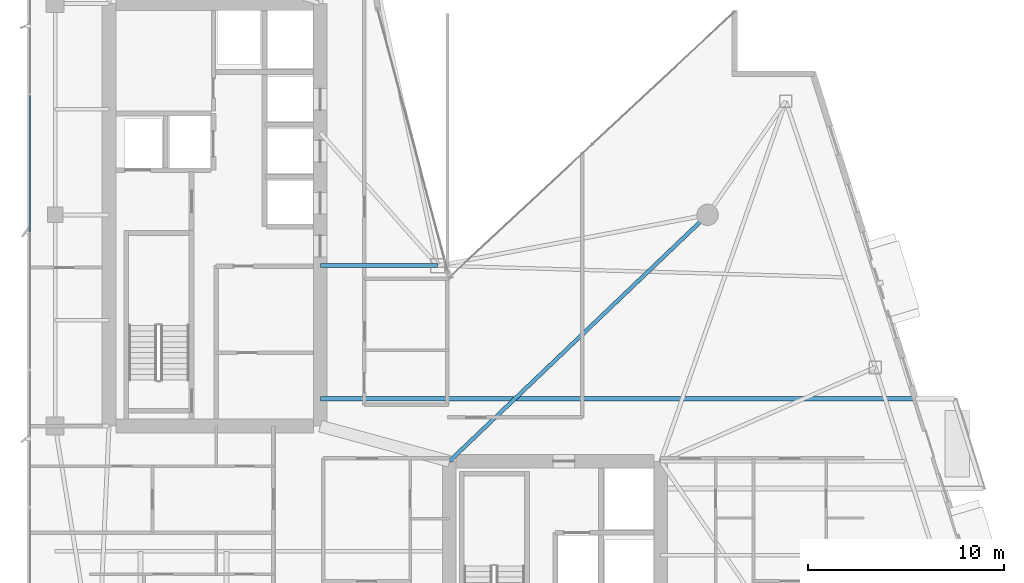
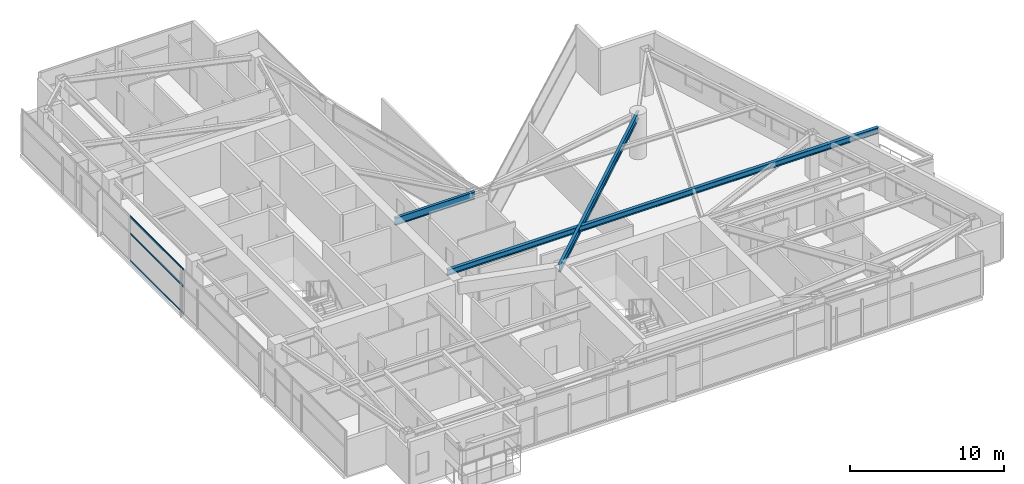
# One storey, part 9 of 27: 3 beams, 3 members, 1 element without a shape of its own.
"""IFC4 building model written with IfcOpenShell, lengths in metres."""

import ifcopenshell
import ifcopenshell.guid

model = None  # the IFC model being written
_history = None  # IfcOwnerHistory: only IFC2X3 demands one
_inside = {}  # id of a spatial element -> (the spatial element, [elements in it])
_under = {}  # id of a project, library or spatial element -> (it, [spatial elements below it])
_declared = {}  # id of a project -> (the project, [libraries it declares])
_typed = {}  # id of a type object -> (the type object, [elements of that type])
_made_of = {}  # id of a material, layer set ... -> (it, [elements and type objects made of it])


def new_model(schema):
    """Start an empty IFC model of exactly this schema.

    Asked for "IFC4X3", IfcOpenShell would pick the latest addendum, in which some entities
    have other attributes; the version numbers below select the first issue.
    IFC2X3 requires an IfcOwnerHistory on every rooted entity: one is made here for all.
    """
    global model, _history
    if schema == "IFC4X3":
        model = ifcopenshell.file(schema_version=(4, 3, 0, 0))
    else:
        model = ifcopenshell.file(schema=schema)
    _inside.clear()
    _under.clear()
    _declared.clear()
    _typed.clear()
    _made_of.clear()
    _history = None
    if model.schema == "IFC2X3":
        org = make("IfcOrganization", Name="unknown")
        user = make(
            "IfcPersonAndOrganization",
            ThePerson=make("IfcPerson", FamilyName="unknown"),
            TheOrganization=org,
        )
        app = make(
            "IfcApplication",
            ApplicationDeveloper=org,
            Version="unknown",
            ApplicationFullName="unknown",
            ApplicationIdentifier="unknown",
        )
        _history = make(
            "IfcOwnerHistory",
            OwningUser=user,
            OwningApplication=app,
            ChangeAction="ADDED",
            CreationDate=0,
        )
    return model


def make(cls, **values):
    """One entity of the class cls with the attributes given. An attribute that is None is left unset."""
    return model.create_entity(
        cls, **{name: value for name, value in values.items() if value is not None}
    )


def rooted(cls, **values):
    """An entity with a GlobalId (a new one), such as an element, a storey or a relation."""
    return make(cls, GlobalId=ifcopenshell.guid.new(), OwnerHistory=_history, **values)


def si_unit(unit_type, name, prefix=None):
    """IfcSIUnit, for example si_unit("LENGTHUNIT", "METRE", prefix="MILLI")."""
    return make("IfcSIUnit", UnitType=unit_type, Prefix=prefix, Name=name)


def assignment(units):
    """IfcUnitAssignment: the units of a project."""
    return None if units is None else make("IfcUnitAssignment", Units=units)


def point(xyz):
    """IfcCartesianPoint."""
    return None if xyz is None else make("IfcCartesianPoint", Coordinates=xyz)


def direction(xyz):
    """IfcDirection."""
    return None if xyz is None else make("IfcDirection", DirectionRatios=xyz)


def frame(location, z_axis=None, x_axis=None):
    """IfcAxis2Placement3D, a coordinate frame: its origin and axes. An axis left out is left unset."""
    return make(
        "IfcAxis2Placement3D",
        Location=point(location),
        Axis=direction(z_axis),
        RefDirection=direction(x_axis),
    )


def frame_2d(location, x_axis=None):
    """IfcAxis2Placement2D, a coordinate frame in the plane: its origin and x axis."""
    return make(
        "IfcAxis2Placement2D", Location=point(location), RefDirection=direction(x_axis)
    )


def origin():
    """The frame at (0, 0, 0) with its axes left unset."""
    return frame((0.0, 0.0, 0.0))


def origin_2d():
    """The frame at (0, 0) in the plane with its x axis left unset."""
    return frame_2d((0.0, 0.0))


def place(relative_to, where):
    """IfcLocalPlacement: puts the frame where relative to a parent placement (None: the world)."""
    return make(
        "IfcLocalPlacement", PlacementRelTo=relative_to, RelativePlacement=where
    )


def context(
    kind, dimensions, precision=None, world=None, true_north=None, identifier=None
):
    """IfcGeometricRepresentationContext, for example the 3D "Model" context."""
    return make(
        "IfcGeometricRepresentationContext",
        ContextIdentifier=identifier,
        ContextType=kind,
        CoordinateSpaceDimension=dimensions,
        Precision=precision,
        WorldCoordinateSystem=world,
        TrueNorth=true_north,
    )


def subcontext(parent, identifier, kind, view, scale=None):
    """IfcGeometricRepresentationSubContext, for example "Body" below "Model"."""
    return make(
        "IfcGeometricRepresentationSubContext",
        ContextIdentifier=identifier,
        ContextType=kind,
        ParentContext=parent,
        TargetScale=scale,
        TargetView=view,
    )


def project(units=None, contexts=None):
    """IfcProject with its units and contexts."""
    return rooted(
        "IfcProject",
        Name="project",
        RepresentationContexts=contexts,
        UnitsInContext=assignment(units),
    )


def spatial(cls, under=None, at=None, **own):
    """A site, building, storey or space (cls), placed at a placement, below another one or the project."""
    s = rooted(cls, ObjectPlacement=at, **own)
    if under is not None:
        _under.setdefault(under.id(), (under, []))[1].append(s)
    return s


def profile(cls, at=None, kind="AREA", **sizes):
    """A parametric profile (cls). Its sizes go by their IFC names, for example OverallWidth=200.0."""
    return make(cls, ProfileType=kind, Position=at, **sizes)


def hollow_rectangle(**sizes):
    """IfcRectangleHollowProfileDef."""
    return profile("IfcRectangleHollowProfileDef", **sizes)


def i_section(**sizes):
    """IfcIShapeProfileDef."""
    return profile("IfcIShapeProfileDef", **sizes)


def extrude(swept, where, along, depth):
    """IfcExtrudedAreaSolid: the profile swept, set in the frame where, extruded along a direction by depth."""
    return make(
        "IfcExtrudedAreaSolid",
        SweptArea=swept,
        Position=where,
        ExtrudedDirection=direction(along),
        Depth=depth,
    )


def shape(context_of_items, identifier, shape_type, items):
    """IfcShapeRepresentation: the items that make up one representation, for example the "Body"."""
    return make(
        "IfcShapeRepresentation",
        ContextOfItems=context_of_items,
        RepresentationIdentifier=identifier,
        RepresentationType=shape_type,
        Items=items,
    )


def material(Name=None, Category=None):
    """IfcMaterial."""
    return make("IfcMaterial", Name=Name, Category=Category)


def layer(
    of_material, thickness, ventilated=None, Name=None, Category=None, Priority=None
):
    """IfcMaterialLayer: one layer of a wall or slab, of a material (None: an air gap)."""
    return make(
        "IfcMaterialLayer",
        Material=of_material,
        LayerThickness=thickness,
        IsVentilated=ventilated,
        Name=Name,
        Category=Category,
        Priority=Priority,
    )


def layer_set(layers, Name=None):
    """IfcMaterialLayerSet."""
    return make("IfcMaterialLayerSet", MaterialLayers=layers, LayerSetName=Name)


def material_profile(
    of_material, cross_section, Name=None, Category=None, Priority=None
):
    """IfcMaterialProfile: a cross section and its material."""
    return make(
        "IfcMaterialProfile",
        Name=Name,
        Material=of_material,
        Profile=cross_section,
        Priority=Priority,
        Category=Category,
    )


def profile_set(profiles, Name=None, composite=None):
    """IfcMaterialProfileSet."""
    return make(
        "IfcMaterialProfileSet",
        Name=Name,
        MaterialProfiles=profiles,
        CompositeProfile=composite,
    )


def made_of(thing, what):
    """Note that an element or type object is made of a material, layer set ...; save() writes the relation."""
    if what is not None:
        _made_of.setdefault(what.id(), (what, []))[1].append(thing)
    return thing


def type_object(cls, material=None, **own):
    """A type object (cls), such as IfcWallType, which elements share."""
    return made_of(rooted(cls, **own), material)


def element(
    cls,
    number,
    at=None,
    inside=None,
    cuts=None,
    type_object=None,
    material=None,
    context=None,
    identifier="Body",
    shape_type=None,
    held_by="IfcProductDefinitionShape",
    body=None,
    shapes=None,
    **own,
):
    """One element of the class cls, such as IfcWall. Its Tag is "e" and its number.

    at: its placement. inside: the storey or other place that contains it. cuts: it is an
    opening in that element (IfcRelVoidsElement). A single representation is given by context,
    identifier, shape_type and body (its items); several are given by shapes. held_by: the class
    of the entity that holds the representations. save() writes the other relations.
    """
    e = rooted(cls, Tag="e%d" % number, ObjectPlacement=at, **own)
    if body is not None:
        shapes = [shape(context, identifier, shape_type, body)]
    if shapes is not None:
        e.Representation = make(held_by, Representations=shapes)
    if inside is not None:
        _inside.setdefault(inside.id(), (inside, []))[1].append(e)
    if cuts is not None:
        rooted(
            "IfcRelVoidsElement", RelatingBuildingElement=cuts, RelatedOpeningElement=e
        )
    if type_object is not None:
        _typed.setdefault(type_object.id(), (type_object, []))[1].append(e)
    return made_of(e, material)


def aggregate(whole, parts):
    """IfcRelAggregates: a whole, such as a stair, and the parts it consists of."""
    return rooted("IfcRelAggregates", RelatingObject=whole, RelatedObjects=parts)


def save(model, path):
    """Write the relations noted so far, then the file.

    IfcRelAggregates (storeys below a building ...), IfcRelContainedInSpatialStructure (elements
    in a storey), IfcRelDefinesByType, IfcRelAssociatesMaterial and IfcRelDeclares: one each for
    every whole, place, type object, material and project.
    """
    for whole, parts in _under.values():
        aggregate(whole, parts)
    for where, things in _inside.values():
        rooted(
            "IfcRelContainedInSpatialStructure",
            RelatedElements=things,
            RelatingStructure=where,
        )
    for kind, things in _typed.values():
        rooted("IfcRelDefinesByType", RelatedObjects=things, RelatingType=kind)
    for what, things in _made_of.values():
        rooted("IfcRelAssociatesMaterial", RelatedObjects=things, RelatingMaterial=what)
    for by, libraries in _declared.values():
        rooted("IfcRelDeclares", RelatingContext=by, RelatedDefinitions=libraries)
    model.write(path)


model = new_model("IFC4")

# Units and contexts
model_context = context("Model", 3, precision=1e-05, world=origin(), true_north=direction((0.0, 1.0)))
body_context = subcontext(model_context, "Body", "Model", "MODEL_VIEW")
ifc_project = project(units=[si_unit("LENGTHUNIT", "METRE"), si_unit("AREAUNIT", "SQUARE_METRE"), si_unit("VOLUMEUNIT", "CUBIC_METRE"), si_unit("PLANEANGLEUNIT", "RADIAN"), si_unit("MASSUNIT", "GRAM", prefix="KILO")], contexts=[model_context])

# Site, building, storey
site_placement = place(None, origin())
site = spatial("IfcSite", under=ifc_project, at=site_placement, CompositionType="ELEMENT")
building_placement = place(site_placement, origin())
building = spatial("IfcBuilding", under=site, at=building_placement, Name="Calvorn Quay Hotel", CompositionType="ELEMENT")
storey_placement = place(building_placement, frame((0.0, 0.0, 223.10009765625)))
storey = spatial("IfcBuildingStorey", under=building, at=storey_placement, Name="L55", CompositionType="ELEMENT", Elevation=223.10009765625)

# Beams
ifc_material_1 = material(Name="Steel Q355B", Category="steel")
ifc_material_profile_1 = material_profile(ifc_material_1, i_section(OverallWidth=0.25, OverallDepth=0.449951171875, WebThickness=0.011962890625, FlangeThickness=0.01611328125, FilletRadius=0.01611328125, at=origin_2d()), Name="HN450x250x12x16")
ifc_profile_set_1 = profile_set([ifc_material_profile_1], Name="Steel Q355B")
beam_type_1 = type_object("IfcBeamType", Name="BM-CANT-BALC", PredefinedType="BEAM", material=ifc_profile_set_1)
beam_1_placement = place(storey_placement, frame((15.0, 18.199951171875, 3.31494140625), z_axis=(1.0, 0.0, 0.0), x_axis=(0.0, 1.0, 0.0)))
element("IfcBeam", 1, at=beam_1_placement, inside=storey, type_object=beam_type_1, Name="Cantilever Balcony Beam BCB-L56-1B", PredefinedType="BEAM", context=body_context, shape_type="SweptSolid", body=[
    extrude(i_section(OverallWidth=0.25, OverallDepth=0.449951171875, WebThickness=0.011962890625, FlangeThickness=0.01611328125, FilletRadius=0.01611328125, at=origin_2d()), origin(), (0.0, 0.0, 1.0), 32.419921875),
])
ifc_material_2 = material(Name="Steel Q355B", Category="steel")
ifc_material_profile_2 = material_profile(ifc_material_2, i_section(OverallWidth=0.199951171875, OverallDepth=0.60009765625, WebThickness=0.010986328125, FlangeThickness=0.01708984375, FilletRadius=0.01806640625, at=origin_2d()), Name="HN600x200x11x17")
ifc_profile_set_2 = profile_set([ifc_material_profile_2], Name="Steel Q355B")
beam_type_2 = type_object("IfcBeamType", Name="BM-GIRD-TYP", PredefinedType="BEAM", material=ifc_profile_set_2)
beam_2_placement = place(storey_placement, frame((21.0, 25.0, 3.239990234375), z_axis=(-1.0, 0.0, 0.0), x_axis=(0.0, -1.0, 0.0)))
element("IfcBeam", 2, at=beam_2_placement, inside=storey, type_object=beam_type_2, Name="Beam BG-L55-W7", PredefinedType="BEAM", context=body_context, shape_type="SweptSolid", body=[
    extrude(i_section(OverallWidth=0.199951171875, OverallDepth=0.60009765625, WebThickness=0.010986328125, FlangeThickness=0.01708984375, FilletRadius=0.01806640625, at=origin_2d()), origin(), (0.0, 0.0, 1.0), 6.0),
])
beam_3_placement = place(storey_placement, frame((21.60009765625, 15.0, 3.239990234375), z_axis=(0.723351595578, 0.690479883252, 0.0), x_axis=(-0.690479883252, 0.723351595578, 0.0)))
element("IfcBeam", 3, at=beam_3_placement, inside=storey, type_object=beam_type_2, Name="Beam BG-L55-E4", PredefinedType="BEAM", context=body_context, shape_type="SweptSolid", body=[
    extrude(i_section(OverallWidth=0.199951171875, OverallDepth=0.60009765625, WebThickness=0.010986328125, FlangeThickness=0.01708984375, FilletRadius=0.01806640625, at=origin_2d()), origin(), (0.0, 0.0, 1.0), 18.248291015625),
])

# Curtain wall, members
ifc_material_3 = material(Name="Champagne Bronze Anodised Aluminium and Low-E Glass", Category="aluminium")
ifc_layer = layer(ifc_material_3, 0.219970703125)
ifc_layer_set = layer_set([ifc_layer], Name="CW-SYS-Z3")
curtain_wall_type = type_object("IfcCurtainWallType", Name="CW-SYS-Z3", PredefinedType="NOTDEFINED", material=ifc_layer_set)
curtain_wall_placement = place(storey_placement, origin())
curtain_wall = element("IfcCurtainWall", 4, at=curtain_wall_placement, inside=storey, type_object=curtain_wall_type, Name="Tower West Curtain Wall (L55)", PredefinedType="NOTDEFINED")
ifc_material_4 = material(Name="Champagne Bronze Anodised Aluminium 6063-T6", Category="aluminium")
ifc_material_profile_3 = material_profile(ifc_material_4, hollow_rectangle(XDim=0.05810546875, YDim=0.139892578125, WallThickness=0.003173828125, at=origin_2d()), Name="ALU-T140x58x3.2")
ifc_profile_set_3 = profile_set([ifc_material_profile_3], Name="Champagne Bronze Anodised Aluminium 6063-T6")
member_type = type_object("IfcMemberType", Name="CW-SYS-Z3-TRN", PredefinedType="USERDEFINED", material=ifc_profile_set_3)
member_1_placement = place(storey_placement, frame((0.14990234375, 26.72998046875, 0.02978515625), z_axis=(0.0, 1.0, 0.0), x_axis=(-1.0, 0.0, 0.0)))
member_1 = element("IfcMember", 5, at=member_1_placement, type_object=member_type, Name="CW-L55-W transom 4.1", ObjectType="TRANSOM", PredefinedType="USERDEFINED", context=body_context, shape_type="SweptSolid", body=[
    extrude(hollow_rectangle(XDim=0.05810546875, YDim=0.139892578125, WallThickness=0.003173828125, at=origin_2d()), origin(), (0.0, 0.0, 1.0), 6.973388671875),
])
member_2_placement = place(storey_placement, frame((0.14990234375, 26.72998046875, 2.199951171875), z_axis=(0.0, 1.0, 0.0), x_axis=(-1.0, 0.0, 0.0)))
member_2 = element("IfcMember", 6, at=member_2_placement, type_object=member_type, Name="CW-L55-W transom 4.2", ObjectType="TRANSOM", PredefinedType="USERDEFINED", context=body_context, shape_type="SweptSolid", body=[
    extrude(hollow_rectangle(XDim=0.05810546875, YDim=0.139892578125, WallThickness=0.003173828125, at=origin_2d()), origin(), (0.0, 0.0, 1.0), 6.973388671875),
])
member_3_placement = place(storey_placement, frame((0.14990234375, 26.72998046875, 3.52978515625), z_axis=(0.0, 1.0, 0.0), x_axis=(-1.0, 0.0, 0.0)))
member_3 = element("IfcMember", 7, at=member_3_placement, type_object=member_type, Name="CW-L55-W transom 4.3", ObjectType="TRANSOM", PredefinedType="USERDEFINED", context=body_context, shape_type="SweptSolid", body=[
    extrude(hollow_rectangle(XDim=0.05810546875, YDim=0.139892578125, WallThickness=0.003173828125, at=origin_2d()), origin(), (0.0, 0.0, 1.0), 6.973388671875),
])
aggregate(curtain_wall, [member_1, member_2, member_3])

save(model, "model.ifc")
